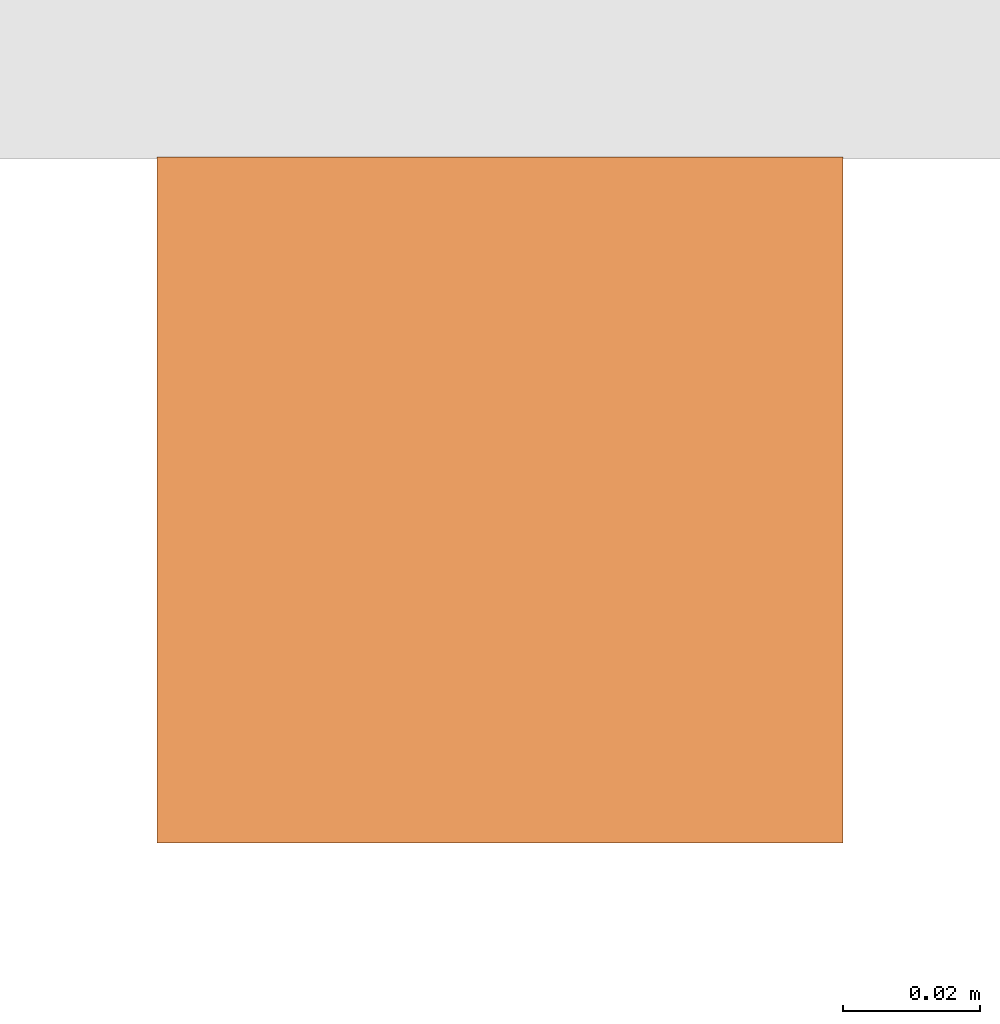
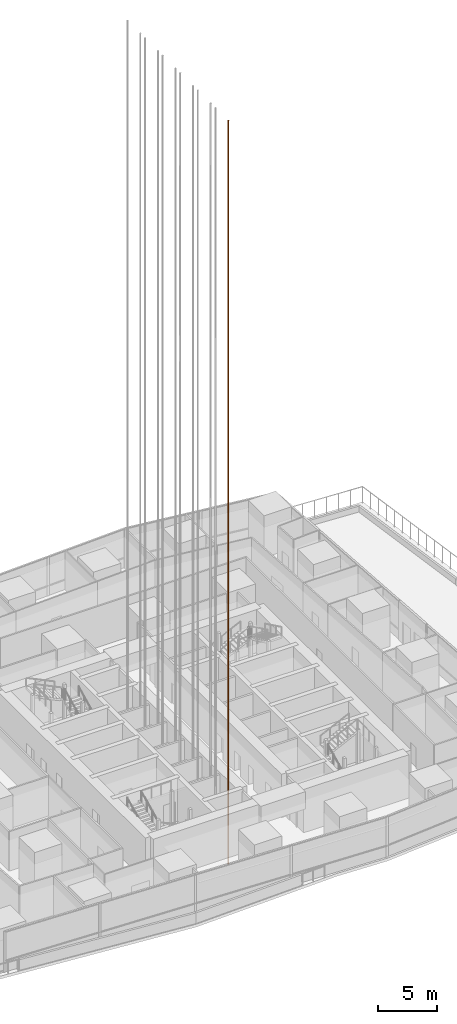
# One storey, part 28 of 39: 1 proxy.
"""IFC4 building model written with IfcOpenShell, lengths in metres."""

from ifc_helpers import new_model, si_unit, direction, frame, origin, origin_2d, place, context, subcontext, project, spatial, rectangle, extrude, material, type_object, element, save


model = new_model("IFC4")

# Units and contexts
model_context = context("Model", 3, precision=1e-05, world=origin(), true_north=direction((0.0, 1.0)))
body_context = subcontext(model_context, "Body", "Model", "MODEL_VIEW")
ifc_project = project(units=[si_unit("LENGTHUNIT", "METRE"), si_unit("AREAUNIT", "SQUARE_METRE"), si_unit("VOLUMEUNIT", "CUBIC_METRE"), si_unit("PLANEANGLEUNIT", "RADIAN"), si_unit("MASSUNIT", "GRAM", prefix="KILO")], contexts=[model_context])

# Site, building, storey
site_placement = place(None, origin())
site = spatial("IfcSite", under=ifc_project, at=site_placement, CompositionType="ELEMENT")
building_placement = place(site_placement, origin())
building = spatial("IfcBuilding", under=site, at=building_placement, Name="Rekha Terrace Tower", CompositionType="ELEMENT")
storey_placement = place(building_placement, frame((0.0, 0.0, 168.199951171875)))
storey = spatial("IfcBuildingStorey", under=building, at=storey_placement, Name="L42", CompositionType="ELEMENT", Elevation=168.199951171875)

# Proxy
ifc_material = material(Name="Steel guide rail", Category="steel")
building_element_proxy_type = type_object("IfcBuildingElementProxyType", Name="LR1 100 lift guide rail", PredefinedType="ELEMENT", material=ifc_material)
proxy_placement = place(storey_placement, frame((34.5, 23.800048828125, -3.2998046875), z_axis=(0.0, 0.0, 1.0), x_axis=(1.0, 0.0, 0.0)))
element("IfcBuildingElementProxy", 1, at=proxy_placement, inside=storey, type_object=building_element_proxy_type, Name="Lift C1 guide rail 1", PredefinedType="ELEMENT", context=body_context, shape_type="SweptSolid", body=[
    extrude(rectangle(XDim=0.10009765625, YDim=0.10009765625, at=origin_2d()), origin(), (0.0, 0.0, 1.0), 77.39990234375),
])

save(model, "model.ifc")
